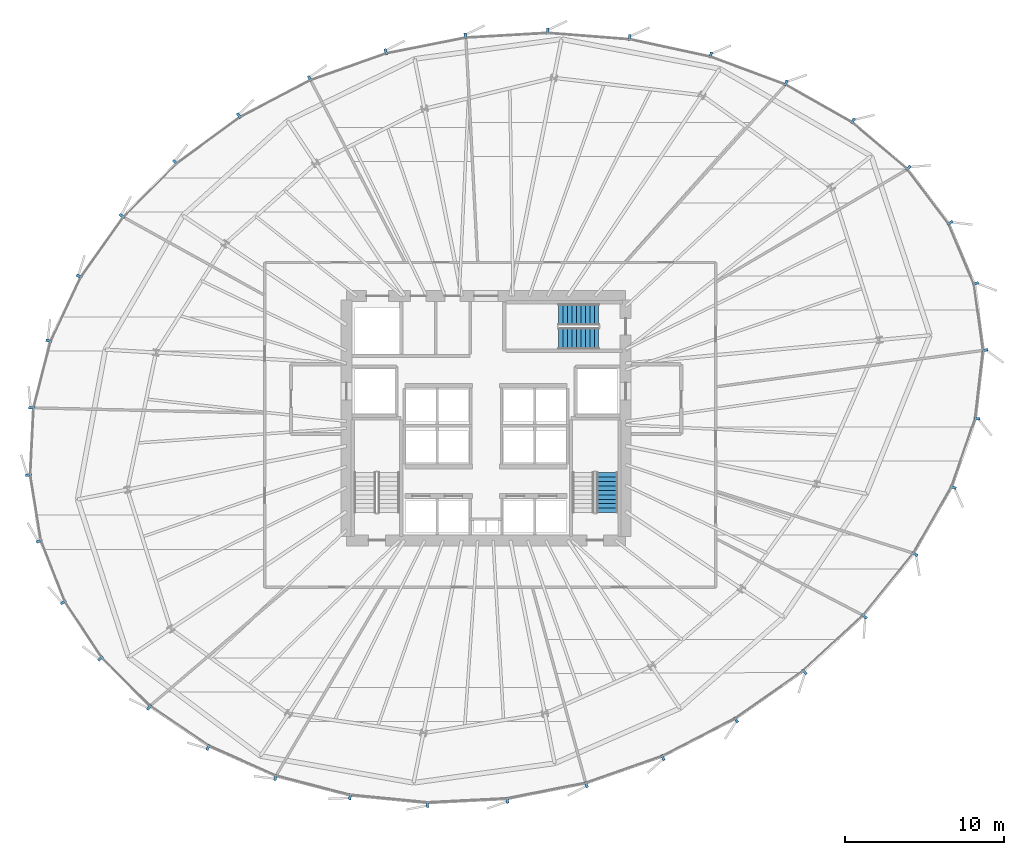
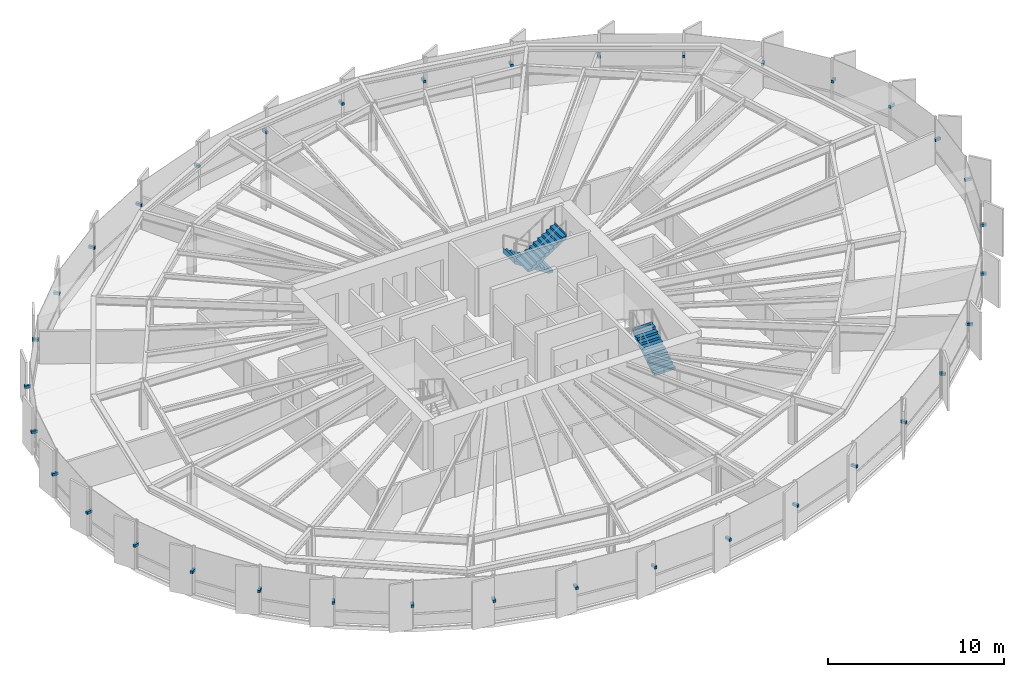
# One storey, part 30 of 35: 36 discrete accessories, 3 stair flights, 2 elements without a shape of their own.
"""IFC4 building model written with IfcOpenShell, lengths in metres."""

import ifcopenshell
import ifcopenshell.guid

model = None  # the IFC model being written
_history = None  # IfcOwnerHistory: only IFC2X3 demands one
_inside = {}  # id of a spatial element -> (the spatial element, [elements in it])
_under = {}  # id of a project, library or spatial element -> (it, [spatial elements below it])
_declared = {}  # id of a project -> (the project, [libraries it declares])
_typed = {}  # id of a type object -> (the type object, [elements of that type])
_made_of = {}  # id of a material, layer set ... -> (it, [elements and type objects made of it])


def new_model(schema):
    """Start an empty IFC model of exactly this schema.

    Asked for "IFC4X3", IfcOpenShell would pick the latest addendum, in which some entities
    have other attributes; the version numbers below select the first issue.
    IFC2X3 requires an IfcOwnerHistory on every rooted entity: one is made here for all.
    """
    global model, _history
    if schema == "IFC4X3":
        model = ifcopenshell.file(schema_version=(4, 3, 0, 0))
    else:
        model = ifcopenshell.file(schema=schema)
    _inside.clear()
    _under.clear()
    _declared.clear()
    _typed.clear()
    _made_of.clear()
    _history = None
    if model.schema == "IFC2X3":
        org = make("IfcOrganization", Name="unknown")
        user = make(
            "IfcPersonAndOrganization",
            ThePerson=make("IfcPerson", FamilyName="unknown"),
            TheOrganization=org,
        )
        app = make(
            "IfcApplication",
            ApplicationDeveloper=org,
            Version="unknown",
            ApplicationFullName="unknown",
            ApplicationIdentifier="unknown",
        )
        _history = make(
            "IfcOwnerHistory",
            OwningUser=user,
            OwningApplication=app,
            ChangeAction="ADDED",
            CreationDate=0,
        )
    return model


def make(cls, **values):
    """One entity of the class cls with the attributes given. An attribute that is None is left unset."""
    return model.create_entity(
        cls, **{name: value for name, value in values.items() if value is not None}
    )


def rooted(cls, **values):
    """An entity with a GlobalId (a new one), such as an element, a storey or a relation."""
    return make(cls, GlobalId=ifcopenshell.guid.new(), OwnerHistory=_history, **values)


def si_unit(unit_type, name, prefix=None):
    """IfcSIUnit, for example si_unit("LENGTHUNIT", "METRE", prefix="MILLI")."""
    return make("IfcSIUnit", UnitType=unit_type, Prefix=prefix, Name=name)


def assignment(units):
    """IfcUnitAssignment: the units of a project."""
    return None if units is None else make("IfcUnitAssignment", Units=units)


def point(xyz):
    """IfcCartesianPoint."""
    return None if xyz is None else make("IfcCartesianPoint", Coordinates=xyz)


def direction(xyz):
    """IfcDirection."""
    return None if xyz is None else make("IfcDirection", DirectionRatios=xyz)


def frame(location, z_axis=None, x_axis=None):
    """IfcAxis2Placement3D, a coordinate frame: its origin and axes. An axis left out is left unset."""
    return make(
        "IfcAxis2Placement3D",
        Location=point(location),
        Axis=direction(z_axis),
        RefDirection=direction(x_axis),
    )


def frame_2d(location, x_axis=None):
    """IfcAxis2Placement2D, a coordinate frame in the plane: its origin and x axis."""
    return make(
        "IfcAxis2Placement2D", Location=point(location), RefDirection=direction(x_axis)
    )


def origin():
    """The frame at (0, 0, 0) with its axes left unset."""
    return frame((0.0, 0.0, 0.0))


def origin_2d():
    """The frame at (0, 0) in the plane with its x axis left unset."""
    return frame_2d((0.0, 0.0))


def place(relative_to, where):
    """IfcLocalPlacement: puts the frame where relative to a parent placement (None: the world)."""
    return make(
        "IfcLocalPlacement", PlacementRelTo=relative_to, RelativePlacement=where
    )


def context(
    kind, dimensions, precision=None, world=None, true_north=None, identifier=None
):
    """IfcGeometricRepresentationContext, for example the 3D "Model" context."""
    return make(
        "IfcGeometricRepresentationContext",
        ContextIdentifier=identifier,
        ContextType=kind,
        CoordinateSpaceDimension=dimensions,
        Precision=precision,
        WorldCoordinateSystem=world,
        TrueNorth=true_north,
    )


def subcontext(parent, identifier, kind, view, scale=None):
    """IfcGeometricRepresentationSubContext, for example "Body" below "Model"."""
    return make(
        "IfcGeometricRepresentationSubContext",
        ContextIdentifier=identifier,
        ContextType=kind,
        ParentContext=parent,
        TargetScale=scale,
        TargetView=view,
    )


def project(units=None, contexts=None):
    """IfcProject with its units and contexts."""
    return rooted(
        "IfcProject",
        Name="project",
        RepresentationContexts=contexts,
        UnitsInContext=assignment(units),
    )


def spatial(cls, under=None, at=None, **own):
    """A site, building, storey or space (cls), placed at a placement, below another one or the project."""
    s = rooted(cls, ObjectPlacement=at, **own)
    if under is not None:
        _under.setdefault(under.id(), (under, []))[1].append(s)
    return s


def polyline(points):
    """IfcPolyline through the points."""
    return make("IfcPolyline", Points=[point(p) for p in points])


def profile(cls, at=None, kind="AREA", **sizes):
    """A parametric profile (cls). Its sizes go by their IFC names, for example OverallWidth=200.0."""
    return make(cls, ProfileType=kind, Position=at, **sizes)


def rectangle(**sizes):
    """IfcRectangleProfileDef."""
    return profile("IfcRectangleProfileDef", **sizes)


def outline(outer, holes=None, kind="AREA"):
    """IfcArbitraryClosedProfileDef: a profile drawn as a closed curve; with holes, ...WithVoids."""
    if holes is None:
        return make("IfcArbitraryClosedProfileDef", ProfileType=kind, OuterCurve=outer)
    return make(
        "IfcArbitraryProfileDefWithVoids",
        ProfileType=kind,
        OuterCurve=outer,
        InnerCurves=holes,
    )


def extrude(swept, where, along, depth):
    """IfcExtrudedAreaSolid: the profile swept, set in the frame where, extruded along a direction by depth."""
    return make(
        "IfcExtrudedAreaSolid",
        SweptArea=swept,
        Position=where,
        ExtrudedDirection=direction(along),
        Depth=depth,
    )


def shape(context_of_items, identifier, shape_type, items):
    """IfcShapeRepresentation: the items that make up one representation, for example the "Body"."""
    return make(
        "IfcShapeRepresentation",
        ContextOfItems=context_of_items,
        RepresentationIdentifier=identifier,
        RepresentationType=shape_type,
        Items=items,
    )


def source(mapping_origin, context_of_items, identifier, shape_type, items):
    """IfcRepresentationMap: a shape defined once, which mapped items show again and again."""
    return make(
        "IfcRepresentationMap",
        MappingOrigin=mapping_origin,
        MappedRepresentation=shape(context_of_items, identifier, shape_type, items),
    )


def transform(
    local_origin,
    x_axis=None,
    y_axis=None,
    z_axis=None,
    scale=None,
    scale2=None,
    scale3=None,
    uniform=True,
):
    """IfcCartesianTransformationOperator3D, or its non-uniform kind. x_axis, y_axis, z_axis: its Axis1, 2, 3."""
    if uniform:
        return make(
            "IfcCartesianTransformationOperator3D",
            Axis1=direction(x_axis),
            Axis2=direction(y_axis),
            LocalOrigin=point(local_origin),
            Scale=scale,
            Axis3=direction(z_axis),
        )
    return make(
        "IfcCartesianTransformationOperator3DnonUniform",
        Axis1=direction(x_axis),
        Axis2=direction(y_axis),
        LocalOrigin=point(local_origin),
        Scale=scale,
        Axis3=direction(z_axis),
        Scale2=scale2,
        Scale3=scale3,
    )


def mapped(mapping_source, mapping_target):
    """IfcMappedItem: shows the shape of a source again, moved by a transform."""
    return make(
        "IfcMappedItem", MappingSource=mapping_source, MappingTarget=mapping_target
    )


def material(Name=None, Category=None):
    """IfcMaterial."""
    return make("IfcMaterial", Name=Name, Category=Category)


def made_of(thing, what):
    """Note that an element or type object is made of a material, layer set ...; save() writes the relation."""
    if what is not None:
        _made_of.setdefault(what.id(), (what, []))[1].append(thing)
    return thing


def type_object(cls, material=None, **own):
    """A type object (cls), such as IfcWallType, which elements share."""
    return made_of(rooted(cls, **own), material)


def element(
    cls,
    number,
    at=None,
    inside=None,
    cuts=None,
    type_object=None,
    material=None,
    context=None,
    identifier="Body",
    shape_type=None,
    held_by="IfcProductDefinitionShape",
    body=None,
    shapes=None,
    **own,
):
    """One element of the class cls, such as IfcWall. Its Tag is "e" and its number.

    at: its placement. inside: the storey or other place that contains it. cuts: it is an
    opening in that element (IfcRelVoidsElement). A single representation is given by context,
    identifier, shape_type and body (its items); several are given by shapes. held_by: the class
    of the entity that holds the representations. save() writes the other relations.
    """
    e = rooted(cls, Tag="e%d" % number, ObjectPlacement=at, **own)
    if body is not None:
        shapes = [shape(context, identifier, shape_type, body)]
    if shapes is not None:
        e.Representation = make(held_by, Representations=shapes)
    if inside is not None:
        _inside.setdefault(inside.id(), (inside, []))[1].append(e)
    if cuts is not None:
        rooted(
            "IfcRelVoidsElement", RelatingBuildingElement=cuts, RelatedOpeningElement=e
        )
    if type_object is not None:
        _typed.setdefault(type_object.id(), (type_object, []))[1].append(e)
    return made_of(e, material)


def aggregate(whole, parts):
    """IfcRelAggregates: a whole, such as a stair, and the parts it consists of."""
    return rooted("IfcRelAggregates", RelatingObject=whole, RelatedObjects=parts)


def save(model, path):
    """Write the relations noted so far, then the file.

    IfcRelAggregates (storeys below a building ...), IfcRelContainedInSpatialStructure (elements
    in a storey), IfcRelDefinesByType, IfcRelAssociatesMaterial and IfcRelDeclares: one each for
    every whole, place, type object, material and project.
    """
    for whole, parts in _under.values():
        aggregate(whole, parts)
    for where, things in _inside.values():
        rooted(
            "IfcRelContainedInSpatialStructure",
            RelatedElements=things,
            RelatingStructure=where,
        )
    for kind, things in _typed.values():
        rooted("IfcRelDefinesByType", RelatedObjects=things, RelatingType=kind)
    for what, things in _made_of.values():
        rooted("IfcRelAssociatesMaterial", RelatedObjects=things, RelatingMaterial=what)
    for by, libraries in _declared.values():
        rooted("IfcRelDeclares", RelatingContext=by, RelatedDefinitions=libraries)
    model.write(path)


model = new_model("IFC4")

# Units and contexts
model_context = context("Model", 3, precision=1e-05, world=origin(), true_north=direction((0.0, 1.0)))
body_context = subcontext(model_context, "Body", "Model", "MODEL_VIEW")
ifc_project = project(units=[si_unit("LENGTHUNIT", "METRE"), si_unit("AREAUNIT", "SQUARE_METRE"), si_unit("VOLUMEUNIT", "CUBIC_METRE"), si_unit("PLANEANGLEUNIT", "RADIAN"), si_unit("MASSUNIT", "GRAM", prefix="KILO"), si_unit("THERMODYNAMICTEMPERATUREUNIT", "KELVIN")], contexts=[model_context])

# Site, building, storey
site_placement = place(None, origin())
site = spatial("IfcSite", under=ifc_project, at=site_placement, CompositionType="ELEMENT")
building_placement = place(site_placement, origin())
building = spatial("IfcBuilding", under=site, at=building_placement, Name="Kethvar Cultural Tower", CompositionType="ELEMENT")
storey_placement = place(building_placement, frame((0.0, 0.0, 96.39990234375)))
storey = spatial("IfcBuildingStorey", under=building, at=storey_placement, Name="L23", CompositionType="ELEMENT", Elevation=96.39990234375)

# Stair, stair flight
ifc_material_1 = material(Name="Concrete C40/50", Category="concrete")
stair_type = type_object("IfcStairType", Name="ST-DOGLEG-135", PredefinedType="HALF_TURN_STAIR", material=ifc_material_1)
stair_1_placement = place(storey_placement, origin())
stair_1 = element("IfcStair", 1, at=stair_1_placement, inside=storey, type_object=stair_type, Name="L23 Core Exit Stair 2", PredefinedType="HALF_TURN_STAIR")
stair_flight_type = type_object("IfcStairFlightType", Name="FL-STRAIGHT-135", PredefinedType="STRAIGHT", material=ifc_material_1)
stair_flight_1_placement = place(storey_placement, frame((54.43505859375, 21.85009765625, 0.0), z_axis=(0.0, 0.0, 1.0), x_axis=(0.0, 1.0, 0.0)))
stair_flight_1 = element("IfcStairFlight", 2, at=stair_flight_1_placement, type_object=stair_flight_type, Name="ST-02 flight 1", NumberOfRisers=10, NumberOfTreads=9, PredefinedType="STRAIGHT", RiserHeight=0.18, TreadLength=0.28, context=body_context, shape_type="SweptSolid", body=[
    extrude(outline(polyline([(-0.0009765625, -0.0009765625), (-0.0009765625, 0.179931640625), (0.280029296875, 0.179931640625), (0.280029296875, 0.360107421875), (0.56005859375, 0.360107421875), (0.56005859375, 0.5400390625), (0.840087890625, 0.5400390625), (0.840087890625, 0.719970703125), (1.1201171875, 0.719970703125), (1.1201171875, 0.89990234375), (1.39990234375, 0.89990234375), (1.39990234375, 1.080078125), (1.679931640625, 1.080078125), (1.679931640625, 1.260009765625), (1.9599609375, 1.260009765625), (1.9599609375, 1.43994140625), (2.239990234375, 1.43994140625), (2.239990234375, 1.6201171875), (2.52001953125, 1.6201171875), (2.52001953125, 1.800048828125), (2.52099609375, 1.800048828125), (2.52099609375, 1.44189453125), (0.277099609375, 0.0), (0.0, -0.0009765625), (-0.0009765625, -0.0009765625)])), frame((0.0, 0.675048828125, 0.0), z_axis=(0.0, -1.0, 0.0), x_axis=(1.0, 0.0, 0.0)), (0.0, 0.0, 1.0), 1.35009765625),
])
aggregate(stair_1, [stair_flight_1])

# Stair, stair flights
stair_2_placement = place(storey_placement, origin())
stair_2 = element("IfcStair", 3, at=stair_2_placement, inside=storey, type_object=stair_type, Name="L23 Core Exit Stair 3", PredefinedType="HALF_TURN_STAIR")
stair_flight_2_placement = place(storey_placement, frame((53.89990234375, 34.3349609375, 0.0), z_axis=(0.0, 0.0, 1.0), x_axis=(-1.0, 0.0, 0.0)))
stair_flight_2 = element("IfcStairFlight", 4, at=stair_flight_2_placement, type_object=stair_flight_type, Name="ST-03 flight 1", NumberOfRisers=10, NumberOfTreads=9, PredefinedType="STRAIGHT", RiserHeight=0.18, TreadLength=0.28, context=body_context, shape_type="SweptSolid", body=[
    extrude(outline(polyline([(-0.0009765625, -0.0009765625), (-0.0009765625, 0.179931640625), (0.280029296875, 0.179931640625), (0.280029296875, 0.360107421875), (0.56005859375, 0.360107421875), (0.56005859375, 0.5400390625), (0.840087890625, 0.5400390625), (0.840087890625, 0.719970703125), (1.1201171875, 0.719970703125), (1.1201171875, 0.89990234375), (1.39990234375, 0.89990234375), (1.39990234375, 1.080078125), (1.679931640625, 1.080078125), (1.679931640625, 1.260009765625), (1.9599609375, 1.260009765625), (1.9599609375, 1.43994140625), (2.239990234375, 1.43994140625), (2.239990234375, 1.6201171875), (2.52001953125, 1.6201171875), (2.52001953125, 1.800048828125), (2.52099609375, 1.800048828125), (2.52099609375, 1.44189453125), (0.277099609375, 0.0), (0.0, -0.0009765625), (-0.0009765625, -0.0009765625)])), frame((0.0, 0.675048828125, 0.0), z_axis=(0.0, -1.0, 0.0), x_axis=(1.0, 0.0, 0.0)), (0.0, 0.0, 1.0), 1.35009765625),
])
stair_flight_3_placement = place(storey_placement, frame((51.3798828125, 32.824951171875, 1.800048828125), z_axis=(0.0, 0.0, 1.0), x_axis=(1.0, 0.0, 0.0)))
stair_flight_3 = element("IfcStairFlight", 5, at=stair_flight_3_placement, type_object=stair_flight_type, Name="ST-03 flight 2", NumberOfRisers=10, NumberOfTreads=9, PredefinedType="STRAIGHT", RiserHeight=0.18, TreadLength=0.28, context=body_context, shape_type="SweptSolid", body=[
    extrude(outline(polyline([(-0.0009765625, -0.0009765625), (-0.0009765625, 0.179931640625), (0.280029296875, 0.179931640625), (0.280029296875, 0.360107421875), (0.56005859375, 0.360107421875), (0.56005859375, 0.5400390625), (0.840087890625, 0.5400390625), (0.840087890625, 0.719970703125), (1.1201171875, 0.719970703125), (1.1201171875, 0.89990234375), (1.39990234375, 0.89990234375), (1.39990234375, 1.080078125), (1.679931640625, 1.080078125), (1.679931640625, 1.260009765625), (1.9599609375, 1.260009765625), (1.9599609375, 1.43994140625), (2.239990234375, 1.43994140625), (2.239990234375, 1.6201171875), (2.52001953125, 1.6201171875), (2.52001953125, 1.800048828125), (2.52099609375, 1.800048828125), (2.52099609375, 1.44189453125), (0.277099609375, 0.0), (0.0, -0.0009765625), (-0.0009765625, -0.0009765625)])), frame((0.0, 0.675048828125, 0.0), z_axis=(0.0, -1.0, 0.0), x_axis=(1.0, 0.0, 0.0)), (0.0, 0.0, 1.0), 1.35009765625),
])
aggregate(stair_2, [stair_flight_2, stair_flight_3])

# Discrete accessories
ifc_material_2 = material(Name="Steel S355J2", Category="steel")
discrete_accessory_type = type_object("IfcDiscreteAccessoryType", Name="Steel Fin Bracket BRK-01", PredefinedType="BRACKET", material=ifc_material_2)
shared_shape = source(origin(), body_context, "Body", "SweptSolid", [
    extrude(rectangle(XDim=0.3798828125, YDim=0.159912109375, at=origin_2d()), origin(), (0.0, 0.0, 1.0), 0.179931640625),
])
for number, where, z_axis, x_axis, name in (
    (6, (77.666748046875, 36.28564453125, 1.5849609375), (0.0, 0.0, 1.0), (0.92172782697, 0.387837353782, 0.0), "L23 Terracotta Fin Bracket 1.1"),
    (7, (76.05419921875, 40.117431640625, 1.5849609375), (0.0, 0.0, 1.0), (0.797162615875, 0.603764659327, 0.0), "L23 Terracotta Fin Bracket 1.2"),
    (8, (73.430419921875, 43.5810546875, 1.5849609375), (0.0, 0.0, 1.0), (0.646257178997, 0.76311968825, 0.0), "L23 Terracotta Fin Bracket 1.3"),
    (9, (69.9287109375, 46.546142578125, 1.5849609375), (0.0, 0.0, 1.0), (0.493182901134, 0.869925643966, 0.0), "L23 Terracotta Fin Bracket 1.4"),
    (10, (65.71044921875, 48.937744140625, 1.5849609375), (0.0, 0.0, 1.0), (0.348244852958, 0.937403606985, 0.0), "L23 Terracotta Fin Bracket 1.5"),
    (11, (60.965576171875, 50.699951171875, 1.5849609375), (0.0, 0.0, 1.0), (0.210983601077, 0.977489601007, 0.0), "L23 Terracotta Fin Bracket 1.6"),
    (12, (55.853759765625, 51.797607421875, 1.5849609375), (0.0, 0.0, 1.0), (0.077241073187, 0.997012445566, 0.0), "L23 Terracotta Fin Bracket 2.1"),
    (13, (50.6826171875, 52.198486328125, 1.5849609375), (0.0, 0.0, 1.0), (-0.057215536424, 0.998361849427, 0.0), "L23 Terracotta Fin Bracket 2.2"),
    (14, (45.501953125, 51.901123046875, 1.5849609375), (0.0, 0.0, 1.0), (-0.19474795149, 0.980853320018, 0.0), "L23 Terracotta Fin Bracket 2.3"),
    (15, (40.478759765625, 50.904052734375, 1.5849609375), (0.0, 0.0, 1.0), (-0.332161131884, 0.943222657948, 0.0), "L23 Terracotta Fin Bracket 2.4"),
    (16, (35.681396484375, 49.21435546875, 1.5849609375), (0.0, 0.0, 1.0), (-0.464687508306, 0.885474742511, 0.0), "L23 Terracotta Fin Bracket 2.5"),
    (17, (31.2216796875, 46.873779296875, 1.5849609375), (0.0, 0.0, 1.0), (-0.59088731392, 0.806754102716, 0.0), "L23 Terracotta Fin Bracket 2.6"),
    (18, (27.2080078125, 43.926513671875, 1.5849609375), (0.0, 0.0, 1.0), (-0.709078636179, 0.705129412033, 0.0), "L23 Terracotta Fin Bracket 3.1"),
    (19, (23.843505859375, 40.54345703125, 1.5849609375), (0.0, 0.0, 1.0), (-0.815532011604, 0.578711964667, 0.0), "L23 Terracotta Fin Bracket 3.2"),
    (20, (21.14892578125, 36.745361328125, 1.5849609375), (0.0, 0.0, 1.0), (-0.904827052466, 0.425779291565, 0.0), "L23 Terracotta Fin Bracket 3.3"),
    (21, (19.233642578125, 32.67529296875, 1.5849609375), (0.0, 0.0, 1.0), (-0.968886270202, 0.247506354292, 0.0), "L23 Terracotta Fin Bracket 3.4"),
    (22, (18.156005859375, 28.457275390625, 1.5849609375), (0.0, 0.0, 1.0), (-0.998806137341, 0.048849769796, 0.0), "L23 Terracotta Fin Bracket 3.5"),
    (23, (17.948974609375, 24.218994140625, 1.5849609375), (0.0, 0.0, 1.0), (-0.987108345507, -0.160053473036, 0.0), "L23 Terracotta Fin Bracket 3.6"),
    (24, (18.633056640625, 20.052978515625, 1.5849609375), (0.0, 0.0, 1.0), (-0.931119484694, -0.364714278886, 0.0), "L23 Terracotta Fin Bracket 4.1"),
    (25, (20.144775390625, 16.1943359375, 1.5849609375), (0.0, 0.0, 1.0), (-0.834847863263, -0.550480740085, 0.0), "L23 Terracotta Fin Bracket 4.2"),
    (26, (22.480712890625, 12.65185546875, 1.5849609375), (0.0, 0.0, 1.0), (-0.707970147154, -0.706242359774, 0.0), "L23 Terracotta Fin Bracket 4.3"),
    (27, (25.5556640625, 9.56982421875, 1.5849609375), (0.0, 0.0, 1.0), (-0.562083377852, -0.827080574275, 0.0), "L23 Terracotta Fin Bracket 4.4"),
    (28, (29.276123046875, 7.0419921875, 1.5849609375), (0.0, 0.0, 1.0), (-0.407374318949, -0.913261279296, 0.0), "L23 Terracotta Fin Bracket 4.5"),
    (29, (33.52880859375, 5.144775390625, 1.5849609375), (0.0, 0.0, 1.0), (-0.251393708421, -0.967884912253, 0.0), "L23 Terracotta Fin Bracket 4.6"),
    (30, (38.223388671875, 3.93212890625, 1.5849609375), (0.0, 0.0, 1.0), (-0.097930293706, -0.995193276492, 0.0), "L23 Terracotta Fin Bracket 5.1"),
    (31, (43.10205078125, 3.452392578125, 1.5849609375), (0.0, 0.0, 1.0), (0.050767248716, -0.998710511839, 0.0), "L23 Terracotta Fin Bracket 5.2"),
    (32, (48.132080078125, 3.7080078125, 1.5849609375), (0.0, 0.0, 1.0), (0.19423435122, -0.980955155349, 0.0), "L23 Terracotta Fin Bracket 5.3"),
    (33, (53.121337890625, 4.69580078125, 1.5849609375), (0.0, 0.0, 1.0), (0.331667216146, -0.943396447807, 0.0), "L23 Terracotta Fin Bracket 5.4"),
    (34, (57.952392578125, 6.39501953125, 1.5849609375), (0.0, 0.0, 1.0), (0.458959712465, -0.888457079624, 0.0), "L23 Terracotta Fin Bracket 5.5"),
    (35, (62.56298828125, 8.7763671875, 1.5849609375), (0.0, 0.0, 1.0), (0.574005264714, -0.818851608095, 0.0), "L23 Terracotta Fin Bracket 5.6"),
    (36, (66.870361328125, 11.802734375, 1.5849609375), (0.0, 0.0, 1.0), (0.679185142834, -0.733966989553, 0.0), "L23 Terracotta Fin Bracket 6.1"),
    (37, (70.65087890625, 15.30078125, 1.5849609375), (0.0, 0.0, 1.0), (0.776926239858, -0.62959162782, 0.0), "L23 Terracotta Fin Bracket 6.2"),
    (38, (73.837890625, 19.2333984375, 1.5849609375), (0.0, 0.0, 1.0), (0.867331431408, -0.497731039913, 0.0), "L23 Terracotta Fin Bracket 6.3"),
    (39, (76.251220703125, 23.439453125, 1.5849609375), (0.0, 0.0, 1.0), (0.944720240709, -0.327877517976, 0.0), "L23 Terracotta Fin Bracket 6.4"),
    (40, (77.755615234375, 27.774658203125, 1.5849609375), (0.0, 0.0, 1.0), (0.993492582803, -0.113896830134, 0.0), "L23 Terracotta Fin Bracket 6.5"),
    (41, (78.250244140625, 32.091796875, 1.5849609375), (0.0, 0.0, 1.0), (0.990795153782, 0.135369727936, 0.0), "L23 Terracotta Fin Bracket 6.6"),
):
    element("IfcDiscreteAccessory", number, at=place(storey_placement, frame(where, z_axis=z_axis, x_axis=x_axis)), inside=storey, type_object=discrete_accessory_type, Name=name, PredefinedType="BRACKET", context=body_context, shape_type="MappedRepresentation", body=[
        mapped(shared_shape, transform((0.0, 0.0, 0.0), scale=1.0)),
    ])

save(model, "model.ifc")
